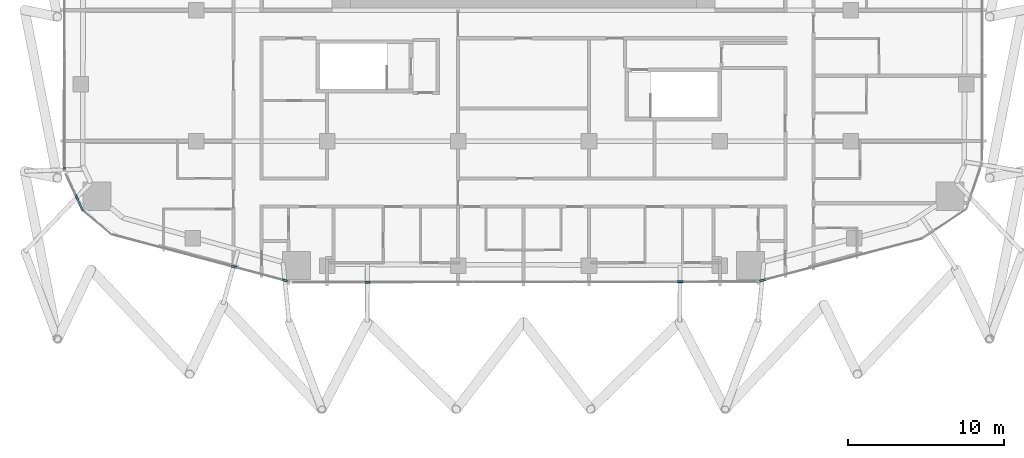
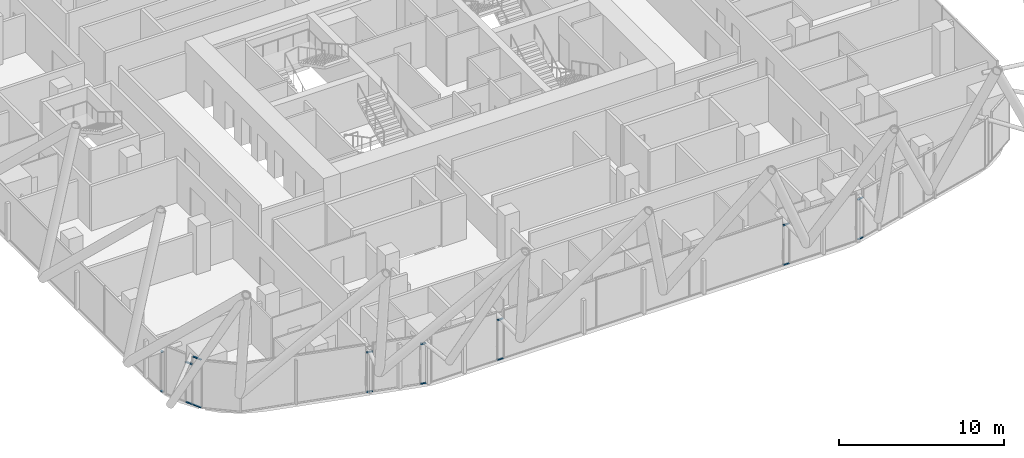
# One storey, part 16 of 36: 16 members, 8 elements without a shape of their own.
"""IFC4 building model written with IfcOpenShell, lengths in metres."""

from ifc_helpers import new_model, si_unit, direction, frame, origin, origin_2d, place, context, subcontext, project, spatial, rectangle, extrude, material, layer, layer_set, material_profile, profile_set, type_object, element, aggregate, save


model = new_model("IFC4")

# Units and contexts
model_context = context("Model", 3, precision=1e-05, world=origin(), true_north=direction((0.0, 1.0)))
body_context = subcontext(model_context, "Body", "Model", "MODEL_VIEW")
ifc_project = project(units=[si_unit("LENGTHUNIT", "METRE"), si_unit("AREAUNIT", "SQUARE_METRE"), si_unit("VOLUMEUNIT", "CUBIC_METRE"), si_unit("PLANEANGLEUNIT", "RADIAN"), si_unit("MASSUNIT", "GRAM", prefix="KILO")], contexts=[model_context])

# Site, building, storey
site_placement = place(None, origin())
site = spatial("IfcSite", under=ifc_project, at=site_placement, CompositionType="ELEMENT")
building_placement = place(site_placement, origin())
building = spatial("IfcBuilding", under=site, at=building_placement, Name="Marenta Gate Hotel Tower", CompositionType="ELEMENT")
storey_placement = place(building_placement, frame((0.0, 0.0, 83.300048828125)))
storey = spatial("IfcBuildingStorey", under=building, at=storey_placement, Name="L19", CompositionType="ELEMENT", Elevation=83.300048828125)

# Curtain wall, members
ifc_material_1 = material(Name="Tinted insulated glass in bronze anodised frame", Category="glass")
ifc_layer = layer(ifc_material_1, 0.1201171875)
ifc_layer_set = layer_set([ifc_layer], Name="Tinted insulated glass in bronze anodised frame")
curtain_wall_type = type_object("IfcCurtainWallType", Name="Tower unitised curtain wall CW1", PredefinedType="NOTDEFINED", material=ifc_layer_set)
curtain_wall_1_placement = place(storey_placement, origin())
curtain_wall_1 = element("IfcCurtainWall", 1, at=curtain_wall_1_placement, inside=storey, type_object=curtain_wall_type, Name="CW1 run G09", PredefinedType="NOTDEFINED")
ifc_material_2 = material(Name="Bronze anodised aluminium", Category="aluminium")
ifc_material_profile = material_profile(ifc_material_2, rectangle(XDim=0.1201171875, YDim=0.06005859375, at=origin_2d()), Name="Transom CW1 60x120 bronze anodised aluminium")
ifc_profile_set = profile_set([ifc_material_profile], Name="Bronze anodised aluminium")
member_type = type_object("IfcMemberType", Name="Transom CW1 60x120 bronze anodised aluminium", PredefinedType="USERDEFINED", material=ifc_profile_set)
member_1_placement = place(storey_placement, frame((-29.472900390625, -10.073486328125, 0.030029296875), z_axis=(-0.001712326257, -0.999998533968, 0.0), x_axis=(0.999998533968, -0.001712326257, 0.0)))
member_1 = element("IfcMember", 2, at=member_1_placement, type_object=member_type, Name="CW1 transom 1.1", ObjectType="TRANSOM", PredefinedType="USERDEFINED", context=body_context, shape_type="SweptSolid", body=[
    extrude(rectangle(XDim=0.1201171875, YDim=0.06005859375, at=origin_2d()), origin(), (0.0, 0.0, 1.0), 0.142578125),
])
member_2_placement = place(storey_placement, frame((-29.472900390625, -10.073486328125, 2.970458984375), z_axis=(-0.001712326257, -0.999998533968, 0.0), x_axis=(0.999998533968, -0.001712326257, 0.0)))
member_2 = element("IfcMember", 3, at=member_2_placement, type_object=member_type, Name="CW1 transom 1.2", ObjectType="TRANSOM", PredefinedType="USERDEFINED", context=body_context, shape_type="SweptSolid", body=[
    extrude(rectangle(XDim=0.1201171875, YDim=0.06005859375, at=origin_2d()), origin(), (0.0, 0.0, 1.0), 0.142578125),
])
aggregate(curtain_wall_1, [member_1, member_2])

curtain_wall_2_placement = place(storey_placement, origin())
curtain_wall_2 = element("IfcCurtainWall", 4, at=curtain_wall_2_placement, inside=storey, type_object=curtain_wall_type, Name="CW1 run G11", PredefinedType="NOTDEFINED")
member_3_placement = place(storey_placement, frame((-28.739501953125, -11.84619140625, 0.030029296875), z_axis=(0.423199367443, -0.906036586124, 0.0), x_axis=(0.906036586124, 0.423199367443, 0.0)))
member_3 = element("IfcMember", 5, at=member_3_placement, type_object=member_type, Name="CW1 transom 1.1", ObjectType="TRANSOM", PredefinedType="USERDEFINED", context=body_context, shape_type="SweptSolid", body=[
    extrude(rectangle(XDim=0.1201171875, YDim=0.06005859375, at=origin_2d()), origin(), (0.0, 0.0, 1.0), 0.42578125),
])
member_4_placement = place(storey_placement, frame((-28.739501953125, -11.84619140625, 2.970458984375), z_axis=(0.423199367443, -0.906036586124, 0.0), x_axis=(0.906036586124, 0.423199367443, 0.0)))
member_4 = element("IfcMember", 6, at=member_4_placement, type_object=member_type, Name="CW1 transom 1.2", ObjectType="TRANSOM", PredefinedType="USERDEFINED", context=body_context, shape_type="SweptSolid", body=[
    extrude(rectangle(XDim=0.1201171875, YDim=0.06005859375, at=origin_2d()), origin(), (0.0, 0.0, 1.0), 0.42578125),
])
aggregate(curtain_wall_2, [member_3, member_4])

curtain_wall_3_placement = place(storey_placement, origin())
curtain_wall_3 = element("IfcCurtainWall", 7, at=curtain_wall_3_placement, inside=storey, type_object=curtain_wall_type, Name="CW1 run G12", PredefinedType="NOTDEFINED")
member_5_placement = place(storey_placement, frame((-28.533935546875, -12.286376953125, 0.030029296875), z_axis=(0.423321437663, -0.905979558497, 0.0), x_axis=(0.905979558497, 0.423321437663, 0.0)))
member_5 = element("IfcMember", 8, at=member_5_placement, type_object=member_type, Name="CW1 transom 1.1", ObjectType="TRANSOM", PredefinedType="USERDEFINED", context=body_context, shape_type="SweptSolid", body=[
    extrude(rectangle(XDim=0.1201171875, YDim=0.06005859375, at=origin_2d()), origin(), (0.0, 0.0, 1.0), 0.613037109375),
])
member_6_placement = place(storey_placement, frame((-28.533935546875, -12.286376953125, 3.570068359375), z_axis=(0.423321437663, -0.905979558497, 0.0), x_axis=(0.905979558497, 0.423321437663, 0.0)))
member_6 = element("IfcMember", 9, at=member_6_placement, type_object=member_type, Name="CW1 transom 1.2", ObjectType="TRANSOM", PredefinedType="USERDEFINED", context=body_context, shape_type="SweptSolid", body=[
    extrude(rectangle(XDim=0.1201171875, YDim=0.06005859375, at=origin_2d()), origin(), (0.0, 0.0, 1.0), 0.613037109375),
])
aggregate(curtain_wall_3, [member_5, member_6])

curtain_wall_4_placement = place(storey_placement, origin())
curtain_wall_4 = element("IfcCurtainWall", 10, at=curtain_wall_4_placement, inside=storey, type_object=curtain_wall_type, Name="CW1 run G15", PredefinedType="NOTDEFINED")
member_7_placement = place(storey_placement, frame((-18.7685546875, -16.41064453125, 0.030029296875), z_axis=(0.966338005626, -0.257275842012, 0.0), x_axis=(0.257275842012, 0.966338005626, 0.0)))
member_7 = element("IfcMember", 11, at=member_7_placement, type_object=member_type, Name="CW1 transom 1.1", ObjectType="TRANSOM", PredefinedType="USERDEFINED", context=body_context, shape_type="SweptSolid", body=[
    extrude(rectangle(XDim=0.1201171875, YDim=0.06005859375, at=origin_2d()), origin(), (0.0, 0.0, 1.0), 0.392822265625),
])
member_8_placement = place(storey_placement, frame((-18.7685546875, -16.41064453125, 2.970458984375), z_axis=(0.966338005626, -0.257275842012, 0.0), x_axis=(0.257275842012, 0.966338005626, 0.0)))
member_8 = element("IfcMember", 12, at=member_8_placement, type_object=member_type, Name="CW1 transom 1.2", ObjectType="TRANSOM", PredefinedType="USERDEFINED", context=body_context, shape_type="SweptSolid", body=[
    extrude(rectangle(XDim=0.1201171875, YDim=0.06005859375, at=origin_2d()), origin(), (0.0, 0.0, 1.0), 0.392822265625),
])
aggregate(curtain_wall_4, [member_7, member_8])

curtain_wall_5_placement = place(storey_placement, origin())
curtain_wall_5 = element("IfcCurtainWall", 13, at=curtain_wall_5_placement, inside=storey, type_object=curtain_wall_type, Name="CW1 run G17", PredefinedType="NOTDEFINED")
member_9_placement = place(storey_placement, frame((-15.485595703125, -17.2841796875, 0.030029296875), z_axis=(0.96644611401, -0.256869439046, 0.0), x_axis=(0.256869439046, 0.96644611401, 0.0)))
member_9 = element("IfcMember", 14, at=member_9_placement, type_object=member_type, Name="CW1 transom 1.1", ObjectType="TRANSOM", PredefinedType="USERDEFINED", context=body_context, shape_type="SweptSolid", body=[
    extrude(rectangle(XDim=0.1201171875, YDim=0.06005859375, at=origin_2d()), origin(), (0.0, 0.0, 1.0), 0.364013671875),
])
member_10_placement = place(storey_placement, frame((-15.485595703125, -17.2841796875, 2.970458984375), z_axis=(0.96644611401, -0.256869439046, 0.0), x_axis=(0.256869439046, 0.96644611401, 0.0)))
member_10 = element("IfcMember", 15, at=member_10_placement, type_object=member_type, Name="CW1 transom 1.2", ObjectType="TRANSOM", PredefinedType="USERDEFINED", context=body_context, shape_type="SweptSolid", body=[
    extrude(rectangle(XDim=0.1201171875, YDim=0.06005859375, at=origin_2d()), origin(), (0.0, 0.0, 1.0), 0.364013671875),
])
aggregate(curtain_wall_5, [member_9, member_10])

curtain_wall_6_placement = place(storey_placement, origin())
curtain_wall_6 = element("IfcCurtainWall", 16, at=curtain_wall_6_placement, inside=storey, type_object=curtain_wall_type, Name="CW1 run G19", PredefinedType="NOTDEFINED")
member_11_placement = place(storey_placement, frame((-10.185546875, -17.4423828125, 0.030029296875), z_axis=(0.999999228426, 0.001242235066, 0.0), x_axis=(-0.001242235066, 0.999999228426, 0.0)))
member_11 = element("IfcMember", 17, at=member_11_placement, type_object=member_type, Name="CW1 transom 1.1", ObjectType="TRANSOM", PredefinedType="USERDEFINED", context=body_context, shape_type="SweptSolid", body=[
    extrude(rectangle(XDim=0.1201171875, YDim=0.06005859375, at=origin_2d()), origin(), (0.0, 0.0, 1.0), 0.39306640625),
])
member_12_placement = place(storey_placement, frame((-10.185546875, -17.4423828125, 2.970458984375), z_axis=(0.999999228426, 0.001242235066, 0.0), x_axis=(-0.001242235066, 0.999999228426, 0.0)))
member_12 = element("IfcMember", 18, at=member_12_placement, type_object=member_type, Name="CW1 transom 1.2", ObjectType="TRANSOM", PredefinedType="USERDEFINED", context=body_context, shape_type="SweptSolid", body=[
    extrude(rectangle(XDim=0.1201171875, YDim=0.06005859375, at=origin_2d()), origin(), (0.0, 0.0, 1.0), 0.39306640625),
])
aggregate(curtain_wall_6, [member_11, member_12])

curtain_wall_7_placement = place(storey_placement, origin())
curtain_wall_7 = element("IfcCurtainWall", 19, at=curtain_wall_7_placement, inside=storey, type_object=curtain_wall_type, Name="CW1 run G21", PredefinedType="NOTDEFINED")
member_13_placement = place(storey_placement, frame((9.86669921875, -17.4189453125, 0.030029296875), z_axis=(0.999999806866, 0.00062150392, 0.0), x_axis=(-0.00062150392, 0.999999806866, 0.0)))
member_13 = element("IfcMember", 20, at=member_13_placement, type_object=member_type, Name="CW1 transom 1.1", ObjectType="TRANSOM", PredefinedType="USERDEFINED", context=body_context, shape_type="SweptSolid", body=[
    extrude(rectangle(XDim=0.1201171875, YDim=0.06005859375, at=origin_2d()), origin(), (0.0, 0.0, 1.0), 0.392822265625),
])
member_14_placement = place(storey_placement, frame((9.86669921875, -17.4189453125, 2.970458984375), z_axis=(0.999999806866, 0.00062150392, 0.0), x_axis=(-0.00062150392, 0.999999806866, 0.0)))
member_14 = element("IfcMember", 21, at=member_14_placement, type_object=member_type, Name="CW1 transom 1.2", ObjectType="TRANSOM", PredefinedType="USERDEFINED", context=body_context, shape_type="SweptSolid", body=[
    extrude(rectangle(XDim=0.1201171875, YDim=0.06005859375, at=origin_2d()), origin(), (0.0, 0.0, 1.0), 0.392822265625),
])
aggregate(curtain_wall_7, [member_13, member_14])

curtain_wall_8_placement = place(storey_placement, origin())
curtain_wall_8 = element("IfcCurtainWall", 22, at=curtain_wall_8_placement, inside=storey, type_object=curtain_wall_type, Name="CW1 run G23", PredefinedType="NOTDEFINED")
member_15_placement = place(storey_placement, frame((15.13232421875, -17.376708984375, 0.030029296875), z_axis=(0.967298175174, 0.253641952966, 0.0), x_axis=(-0.253641952966, 0.967298175174, 0.0)))
member_15 = element("IfcMember", 23, at=member_15_placement, type_object=member_type, Name="CW1 transom 1.1", ObjectType="TRANSOM", PredefinedType="USERDEFINED", context=body_context, shape_type="SweptSolid", body=[
    extrude(rectangle(XDim=0.1201171875, YDim=0.06005859375, at=origin_2d()), origin(), (0.0, 0.0, 1.0), 0.423583984375),
])
member_16_placement = place(storey_placement, frame((15.13232421875, -17.376708984375, 2.970458984375), z_axis=(0.967298175174, 0.253641952966, 0.0), x_axis=(-0.253641952966, 0.967298175174, 0.0)))
member_16 = element("IfcMember", 24, at=member_16_placement, type_object=member_type, Name="CW1 transom 1.2", ObjectType="TRANSOM", PredefinedType="USERDEFINED", context=body_context, shape_type="SweptSolid", body=[
    extrude(rectangle(XDim=0.1201171875, YDim=0.06005859375, at=origin_2d()), origin(), (0.0, 0.0, 1.0), 0.423583984375),
])
aggregate(curtain_wall_8, [member_15, member_16])

save(model, "model.ifc")
